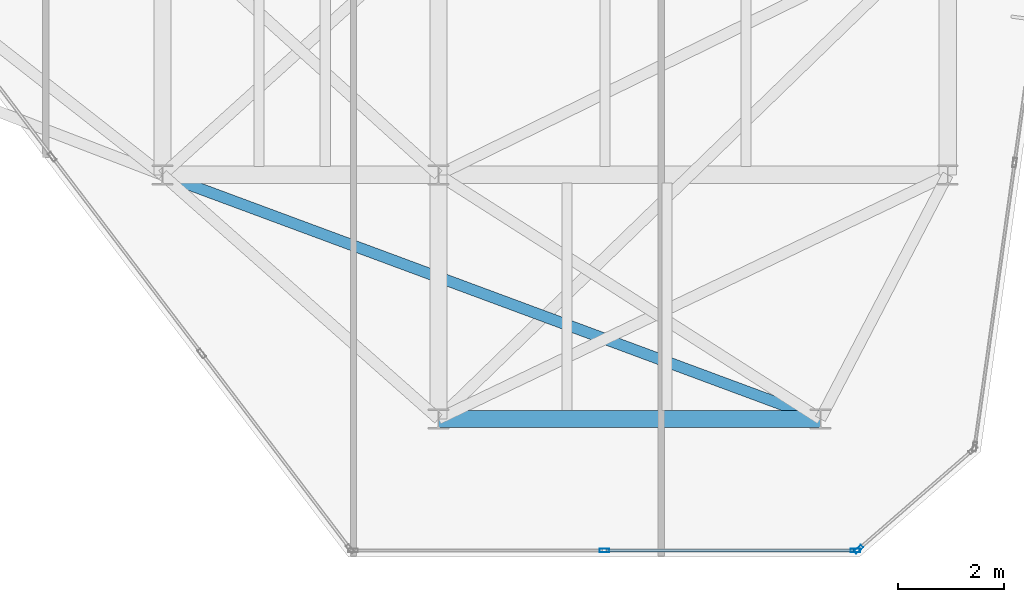
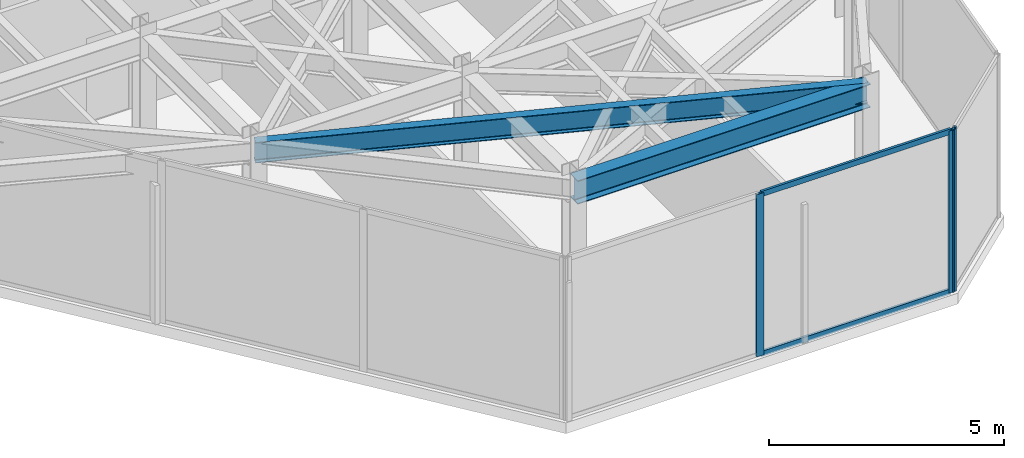
# One storey, part 7 of 17: 5 members, 2 beams, 2 elements without a shape of their own.
"""IFC4 building model written with IfcOpenShell, lengths in metres."""

from ifc_helpers import new_model, si_unit, direction, frame, origin, origin_2d, place, context, subcontext, project, spatial, hollow_rectangle, i_section, extrude, material, layer, layer_set, material_profile, profile_set, type_object, element, aggregate, save


model = new_model("IFC4")

# Units and contexts
model_context = context("Model", 3, precision=1e-05, world=origin(), true_north=direction((0.0, 1.0)))
body_context = subcontext(model_context, "Body", "Model", "MODEL_VIEW")
ifc_project = project(units=[si_unit("LENGTHUNIT", "METRE"), si_unit("AREAUNIT", "SQUARE_METRE"), si_unit("VOLUMEUNIT", "CUBIC_METRE"), si_unit("PLANEANGLEUNIT", "RADIAN"), si_unit("MASSUNIT", "GRAM", prefix="KILO")], contexts=[model_context])

# Site, building, storey
site_placement = place(None, origin())
site = spatial("IfcSite", under=ifc_project, at=site_placement, CompositionType="ELEMENT")
building_placement = place(site_placement, origin())
building = spatial("IfcBuilding", under=site, at=building_placement, Name="Kravanh Interchange Tower", CompositionType="ELEMENT")
storey_placement = place(building_placement, frame((0.0, 0.0, 311.10009765625)))
storey = spatial("IfcBuildingStorey", under=building, at=storey_placement, Name="L77", CompositionType="ELEMENT", Elevation=311.10009765625)

# Curtain wall, member
ifc_material_1 = material(Name="Anodised Bronze Aluminium", Category="aluminium")
ifc_layer = layer(ifc_material_1, 0.179931640625)
ifc_layer_set = layer_set([ifc_layer], Name="Unitised Curtain Wall System CW-SKY Sky Observatory")
curtain_wall_type = type_object("IfcCurtainWallType", Name="Unitised Curtain Wall System CW-SKY Sky Observatory", PredefinedType="NOTDEFINED", material=ifc_layer_set)
curtain_wall_1_placement = place(storey_placement, origin())
curtain_wall_1 = element("IfcCurtainWall", 1, at=curtain_wall_1_placement, inside=storey, type_object=curtain_wall_type, Name="L77 Unitised Curtain Wall CW-L77-03", PredefinedType="NOTDEFINED")
ifc_material_2 = material(Name="Anodised Bronze Aluminium", Category="aluminium")
ifc_material_profile_1 = material_profile(ifc_material_2, hollow_rectangle(XDim=0.070068359375, YDim=0.179931640625, WallThickness=0.00390625, at=origin_2d()), Name="ALU70X180X4")
ifc_profile_set_1 = profile_set([ifc_material_profile_1], Name="Anodised Bronze Aluminium")
member_type_1 = type_object("IfcMemberType", Name="Curtain Wall Mullion ALU70X180X4 Bronze", PredefinedType="MULLION", material=ifc_profile_set_1)
member_1_placement = place(storey_placement, frame((63.919921875, 19.742919921875, 0.0), z_axis=(0.0, 0.0, 1.0), x_axis=(0.656050227106, -0.754717231494, 0.0)))
member_1 = element("IfcMember", 2, at=member_1_placement, type_object=member_type_1, Name="CW-SKY mullion 2", PredefinedType="MULLION", context=body_context, shape_type="SweptSolid", body=[
    extrude(hollow_rectangle(XDim=0.070068359375, YDim=0.179931640625, WallThickness=0.00390625, at=origin_2d()), origin(), (0.0, 0.0, 1.0), 4.219970703125),
])
aggregate(curtain_wall_1, [member_1])

# Curtain wall, members
curtain_wall_2_placement = place(storey_placement, origin())
curtain_wall_2 = element("IfcCurtainWall", 3, at=curtain_wall_2_placement, inside=storey, type_object=curtain_wall_type, Name="L77 Unitised Curtain Wall CW-L77-04", PredefinedType="NOTDEFINED")
member_2_placement = place(storey_placement, frame((63.8583984375, 19.719970703125, 0.0), z_axis=(0.0, 0.0, 1.0), x_axis=(0.0, -1.0, 0.0)))
member_2 = element("IfcMember", 4, at=member_2_placement, type_object=member_type_1, Name="CW-SKY mullion 1", PredefinedType="MULLION", context=body_context, shape_type="SweptSolid", body=[
    extrude(hollow_rectangle(XDim=0.070068359375, YDim=0.179931640625, WallThickness=0.00390625, at=origin_2d()), origin(), (0.0, 0.0, 1.0), 4.219970703125),
])
member_3_placement = place(storey_placement, frame((59.12646484375, 19.719970703125, 0.0), z_axis=(0.0, 0.0, 1.0), x_axis=(0.0, -1.0, 0.0)))
member_3 = element("IfcMember", 5, at=member_3_placement, type_object=member_type_1, Name="CW-SKY mullion 2", PredefinedType="MULLION", context=body_context, shape_type="SweptSolid", body=[
    extrude(hollow_rectangle(XDim=0.070068359375, YDim=0.179931640625, WallThickness=0.00390625, at=origin_2d()), origin(), (0.0, 0.0, 1.0), 4.219970703125),
])
ifc_material_3 = material(Name="Anodised Bronze Aluminium", Category="aluminium")
ifc_material_profile_2 = material_profile(ifc_material_3, hollow_rectangle(XDim=0.06005859375, YDim=0.139892578125, WallThickness=0.00390625, at=origin_2d()), Name="ALU60X140X4")
ifc_profile_set_2 = profile_set([ifc_material_profile_2], Name="Anodised Bronze Aluminium")
member_type_2 = type_object("IfcMemberType", Name="Curtain Wall Transom ALU60X140X4 Bronze", PredefinedType="USERDEFINED", material=ifc_profile_set_2)
member_4_placement = place(storey_placement, frame((63.823486328125, 19.719970703125, 0.02978515625), z_axis=(-1.0, 0.0, 0.0), x_axis=(0.0, -1.0, 0.0)))
member_4 = element("IfcMember", 6, at=member_4_placement, type_object=member_type_2, Name="CW-SKY transom 1.1", ObjectType="TRANSOM", PredefinedType="USERDEFINED", context=body_context, shape_type="SweptSolid", body=[
    extrude(hollow_rectangle(XDim=0.06005859375, YDim=0.139892578125, WallThickness=0.00390625, at=origin_2d()), origin(), (0.0, 0.0, 1.0), 4.661865234375),
])
member_5_placement = place(storey_placement, frame((63.823486328125, 19.719970703125, 4.18994140625), z_axis=(-1.0, 0.0, 0.0), x_axis=(0.0, -1.0, 0.0)))
member_5 = element("IfcMember", 7, at=member_5_placement, type_object=member_type_2, Name="CW-SKY transom 1.2", ObjectType="TRANSOM", PredefinedType="USERDEFINED", context=body_context, shape_type="SweptSolid", body=[
    extrude(hollow_rectangle(XDim=0.06005859375, YDim=0.139892578125, WallThickness=0.00390625, at=origin_2d()), origin(), (0.0, 0.0, 1.0), 4.661865234375),
])
aggregate(curtain_wall_2, [member_2, member_3, member_4, member_5])

# Beams
ifc_material_4 = material(Name="Structural Steel S355", Category="steel")
ifc_material_profile_3 = material_profile(ifc_material_4, i_section(OverallWidth=0.323974609375, OverallDepth=0.611083984375, WebThickness=0.0126953125, FlangeThickness=0.01904296875, FilletRadius=0.02197265625, at=origin_2d()), Name="W24X104")
ifc_profile_set_3 = profile_set([ifc_material_profile_3], Name="Structural Steel S355")
beam_type_1 = type_object("IfcBeamType", Name="Floor Beam W24X104 Structural Steel S355", PredefinedType="BEAM", material=ifc_profile_set_3)
beam_1_placement = place(storey_placement, frame((56.0, 22.199951171875, 3.914306640625), z_axis=(1.0, 0.0, 0.0), x_axis=(0.0, 1.0, 0.0)))
element("IfcBeam", 8, at=beam_1_placement, inside=storey, type_object=beam_type_1, Name="L77 Primary Floor Girder 28", PredefinedType="BEAM", context=body_context, shape_type="SweptSolid", body=[
    extrude(i_section(OverallWidth=0.323974609375, OverallDepth=0.611083984375, WebThickness=0.0126953125, FlangeThickness=0.01904296875, FilletRadius=0.02197265625, at=origin_2d()), origin(), (0.0, 0.0, 1.0), 7.199951171875),
])
ifc_material_5 = material(Name="Structural Steel S355", Category="steel")
ifc_material_profile_4 = material_profile(ifc_material_5, i_section(OverallWidth=0.2099609375, OverallDepth=0.537109375, WebThickness=0.010986328125, FlangeThickness=0.017333984375, FilletRadius=0.02001953125, at=origin_2d()), Name="W21X68")
ifc_profile_set_4 = profile_set([ifc_material_profile_4], Name="Structural Steel S355")
beam_type_2 = type_object("IfcBeamType", Name="Floor Spandrel W21X68 Structural Steel S355", PredefinedType="SPANDREL", material=ifc_profile_set_4)
beam_2_placement = place(storey_placement, frame((50.800048828125, 26.800048828125, 3.951416015625), z_axis=(0.937562917338, -0.347815721372, 0.0), x_axis=(0.347815721372, 0.937562917338, 0.0)))
element("IfcBeam", 9, at=beam_2_placement, inside=storey, type_object=beam_type_2, Name="L77 Perimeter Spandrel 22", PredefinedType="SPANDREL", context=body_context, shape_type="SweptSolid", body=[
    extrude(i_section(OverallWidth=0.2099609375, OverallDepth=0.537109375, WebThickness=0.010986328125, FlangeThickness=0.017333984375, FilletRadius=0.02001953125, at=origin_2d()), origin(), (0.0, 0.0, 1.0), 13.2255859375),
])

save(model, "model.ifc")
